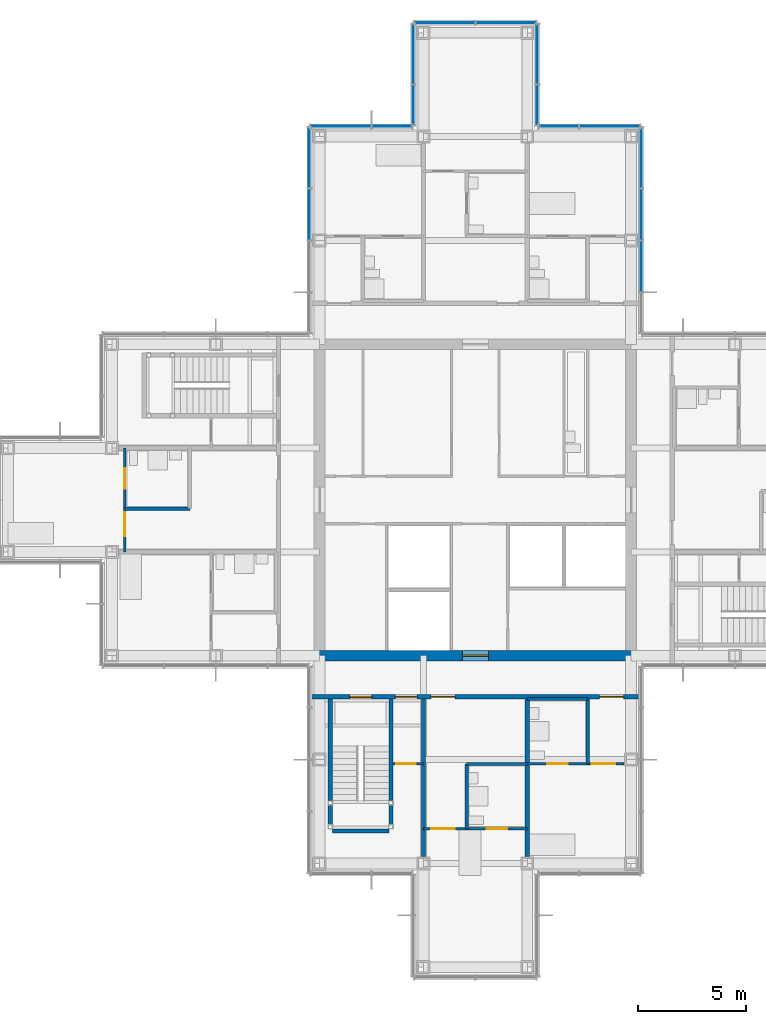
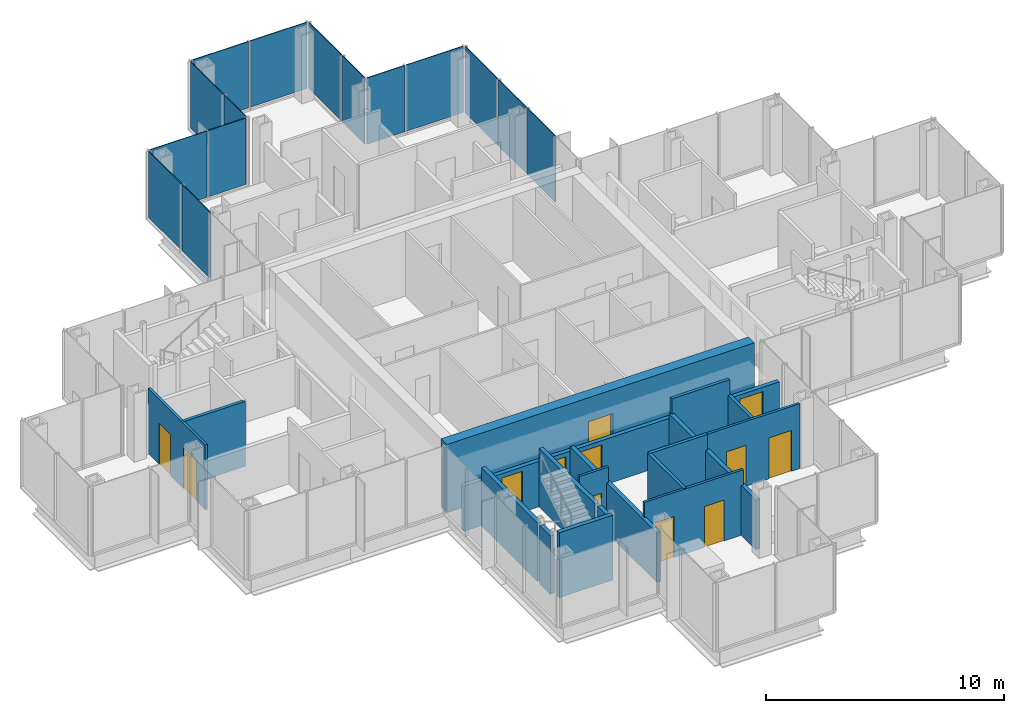
# One storey, part 11 of 17: 18 walls, 15 plates, 12 doors, 12 openings, 7 elements without a shape of their own.
"""IFC4 building model written with IfcOpenShell, lengths in metres."""

from ifc_helpers import new_model, si_unit, direction, frame, frame_2d, origin, origin_2d, place, context, subcontext, project, spatial, rectangle, extrude, material, layer, layer_set, type_object, element, fill, aggregate, save


model = new_model("IFC4")

# Units and contexts
model_context = context("Model", 3, precision=1e-05, world=origin(), true_north=direction((0.0, 1.0)))
body_context = subcontext(model_context, "Body", "Model", "MODEL_VIEW")
ifc_project = project(units=[si_unit("LENGTHUNIT", "METRE"), si_unit("AREAUNIT", "SQUARE_METRE"), si_unit("VOLUMEUNIT", "CUBIC_METRE"), si_unit("PLANEANGLEUNIT", "RADIAN"), si_unit("MASSUNIT", "GRAM", prefix="KILO")], contexts=[model_context])

# Site, building, storey
site_placement = place(None, origin())
site = spatial("IfcSite", under=ifc_project, at=site_placement, CompositionType="ELEMENT")
building_placement = place(site_placement, origin())
building = spatial("IfcBuilding", under=site, at=building_placement, Name="Kvirike Care Tower", CompositionType="ELEMENT")
storey_placement = place(building_placement, frame((0.0, 0.0, 183.0)))
storey = spatial("IfcBuildingStorey", under=building, at=storey_placement, Name="L50", CompositionType="ELEMENT", Elevation=183.0)

# Curtain wall, plates
ifc_material_1 = material(Name="Anodised aluminium stick system", Category="aluminium")
curtain_wall_type = type_object("IfcCurtainWallType", Name="CW-C STICK CURTAIN WALL", PredefinedType="NOTDEFINED", material=ifc_material_1)
curtain_wall_1_placement = place(storey_placement, origin())
curtain_wall_1 = element("IfcCurtainWall", 1, at=curtain_wall_1_placement, inside=storey, type_object=curtain_wall_type, Name="Curtain wall L50 face 8", PredefinedType="NOTDEFINED")
ifc_material_2 = material(Name="Tinted double glazed unit", Category="glass")
ifc_layer_1 = layer(ifc_material_2, 0.0400390625)
ifc_layer_set_1 = layer_set([ifc_layer_1], Name="TINTED VISION PANEL 40")
plate_type = type_object("IfcPlateType", Name="TINTED VISION PANEL 40", PredefinedType="CURTAIN_PANEL", material=ifc_layer_set_1)
plate_1_placement = place(storey_placement, frame((29.27001953125, 46.800048828125, 0.10009765625), z_axis=(0.0, 0.0, 1.0), x_axis=(0.0, 1.0, 0.0)))
plate_1 = element("IfcPlate", 2, at=plate_1_placement, type_object=plate_type, Name="CW-C panel L50 face 8.2", PredefinedType="CURTAIN_PANEL", context=body_context, shape_type="SweptSolid", body=[
    extrude(rectangle(XDim=2.3349609375, YDim=0.0400390625, at=origin_2d()), origin(), (0.0, 0.0, 1.0), 3.39990234375),
])
plate_2_placement = place(storey_placement, frame((29.27001953125, 49.199951171875, 0.10009765625), z_axis=(0.0, 0.0, 1.0), x_axis=(0.0, 1.0, 0.0)))
plate_2 = element("IfcPlate", 3, at=plate_2_placement, type_object=plate_type, Name="CW-C panel L50 face 8.3", PredefinedType="CURTAIN_PANEL", context=body_context, shape_type="SweptSolid", body=[
    extrude(rectangle(XDim=2.3349609375, YDim=0.0400390625, at=origin_2d()), origin(), (0.0, 0.0, 1.0), 3.39990234375),
])
plate_3_placement = place(storey_placement, frame((29.27001953125, 51.81884765625, 0.10009765625), z_axis=(0.0, 0.0, 1.0), x_axis=(0.0, 1.0, 0.0)))
plate_3 = element("IfcPlate", 4, at=plate_3_placement, type_object=plate_type, Name="CW-C panel L50 face 8.4", PredefinedType="CURTAIN_PANEL", context=body_context, shape_type="SweptSolid", body=[
    extrude(rectangle(XDim=2.7724609375, YDim=0.0400390625, at=origin_2d()), origin(), (0.0, 0.0, 1.0), 3.39990234375),
])
aggregate(curtain_wall_1, [plate_1, plate_2, plate_3])

curtain_wall_2_placement = place(storey_placement, origin())
curtain_wall_2 = element("IfcCurtainWall", 5, at=curtain_wall_2_placement, inside=storey, type_object=curtain_wall_type, Name="Curtain wall L50 face 9", PredefinedType="NOTDEFINED")
plate_4_placement = place(storey_placement, frame((27.81884765625, 53.27001953125, 0.10009765625), z_axis=(0.0, 0.0, 1.0), x_axis=(-1.0, 0.0, 0.0)))
plate_4 = element("IfcPlate", 6, at=plate_4_placement, type_object=plate_type, Name="CW-C panel L50 face 9.1", PredefinedType="CURTAIN_PANEL", context=body_context, shape_type="SweptSolid", body=[
    extrude(rectangle(XDim=2.7724609375, YDim=0.0400390625, at=origin_2d()), origin(), (0.0, 0.0, 1.0), 3.39990234375),
])
plate_5_placement = place(storey_placement, frame((25.451171875, 53.27001953125, 0.10009765625), z_axis=(0.0, 0.0, 1.0), x_axis=(-1.0, 0.0, 0.0)))
plate_5 = element("IfcPlate", 7, at=plate_5_placement, type_object=plate_type, Name="CW-C panel L50 face 9.2", PredefinedType="CURTAIN_PANEL", context=body_context, shape_type="SweptSolid", body=[
    extrude(rectangle(XDim=1.83251953125, YDim=0.0400390625, at=origin_2d()), origin(), (0.0, 0.0, 1.0), 3.39990234375),
])
aggregate(curtain_wall_2, [plate_4, plate_5])

curtain_wall_3_placement = place(storey_placement, origin())
curtain_wall_3 = element("IfcCurtainWall", 8, at=curtain_wall_3_placement, inside=storey, type_object=curtain_wall_type, Name="Curtain wall L50 face 10", PredefinedType="NOTDEFINED")
plate_6_placement = place(storey_placement, frame((24.469970703125, 54.251220703125, 0.10009765625), z_axis=(0.0, 0.0, 1.0), x_axis=(0.0, 1.0, 0.0)))
plate_6 = element("IfcPlate", 9, at=plate_6_placement, type_object=plate_type, Name="CW-C panel L50 face 10.1", PredefinedType="CURTAIN_PANEL", context=body_context, shape_type="SweptSolid", body=[
    extrude(rectangle(XDim=1.83251953125, YDim=0.0400390625, at=origin_2d()), origin(), (0.0, 0.0, 1.0), 3.39990234375),
])
plate_7_placement = place(storey_placement, frame((24.469970703125, 56.61865234375, 0.10009765625), z_axis=(0.0, 0.0, 1.0), x_axis=(0.0, 1.0, 0.0)))
plate_7 = element("IfcPlate", 10, at=plate_7_placement, type_object=plate_type, Name="CW-C panel L50 face 10.2", PredefinedType="CURTAIN_PANEL", context=body_context, shape_type="SweptSolid", body=[
    extrude(rectangle(XDim=2.7724609375, YDim=0.0400390625, at=origin_2d()), origin(), (0.0, 0.0, 1.0), 3.39990234375),
])
aggregate(curtain_wall_3, [plate_6, plate_7])

curtain_wall_4_placement = place(storey_placement, origin())
curtain_wall_4 = element("IfcCurtainWall", 11, at=curtain_wall_4_placement, inside=storey, type_object=curtain_wall_type, Name="Curtain wall L50 face 11", PredefinedType="NOTDEFINED")
plate_8_placement = place(storey_placement, frame((23.018798828125, 58.070068359375, 0.10009765625), z_axis=(0.0, 0.0, 1.0), x_axis=(-1.0, 0.0, 0.0)))
plate_8 = element("IfcPlate", 12, at=plate_8_placement, type_object=plate_type, Name="CW-C panel L50 face 11.1", PredefinedType="CURTAIN_PANEL", context=body_context, shape_type="SweptSolid", body=[
    extrude(rectangle(XDim=2.7724609375, YDim=0.0400390625, at=origin_2d()), origin(), (0.0, 0.0, 1.0), 3.39990234375),
])
plate_9_placement = place(storey_placement, frame((20.18115234375, 58.070068359375, 0.10009765625), z_axis=(0.0, 0.0, 1.0), x_axis=(-1.0, 0.0, 0.0)))
plate_9 = element("IfcPlate", 13, at=plate_9_placement, type_object=plate_type, Name="CW-C panel L50 face 11.2", PredefinedType="CURTAIN_PANEL", context=body_context, shape_type="SweptSolid", body=[
    extrude(rectangle(XDim=2.7724609375, YDim=0.0400390625, at=origin_2d()), origin(), (0.0, 0.0, 1.0), 3.39990234375),
])
aggregate(curtain_wall_4, [plate_8, plate_9])

curtain_wall_5_placement = place(storey_placement, origin())
curtain_wall_5 = element("IfcCurtainWall", 14, at=curtain_wall_5_placement, inside=storey, type_object=curtain_wall_type, Name="Curtain wall L50 face 12", PredefinedType="NOTDEFINED")
plate_10_placement = place(storey_placement, frame((18.72998046875, 56.61865234375, 0.10009765625), z_axis=(0.0, 0.0, 1.0), x_axis=(0.0, -1.0, 0.0)))
plate_10 = element("IfcPlate", 15, at=plate_10_placement, type_object=plate_type, Name="CW-C panel L50 face 12.1", PredefinedType="CURTAIN_PANEL", context=body_context, shape_type="SweptSolid", body=[
    extrude(rectangle(XDim=2.7724609375, YDim=0.0400390625, at=origin_2d()), origin(), (0.0, 0.0, 1.0), 3.39990234375),
])
plate_11_placement = place(storey_placement, frame((18.72998046875, 54.251220703125, 0.10009765625), z_axis=(0.0, 0.0, 1.0), x_axis=(0.0, -1.0, 0.0)))
plate_11 = element("IfcPlate", 16, at=plate_11_placement, type_object=plate_type, Name="CW-C panel L50 face 12.2", PredefinedType="CURTAIN_PANEL", context=body_context, shape_type="SweptSolid", body=[
    extrude(rectangle(XDim=1.83251953125, YDim=0.0400390625, at=origin_2d()), origin(), (0.0, 0.0, 1.0), 3.39990234375),
])
aggregate(curtain_wall_5, [plate_10, plate_11])

curtain_wall_6_placement = place(storey_placement, origin())
curtain_wall_6 = element("IfcCurtainWall", 17, at=curtain_wall_6_placement, inside=storey, type_object=curtain_wall_type, Name="Curtain wall L50 face 13", PredefinedType="NOTDEFINED")
plate_12_placement = place(storey_placement, frame((17.748779296875, 53.27001953125, 0.10009765625), z_axis=(0.0, 0.0, 1.0), x_axis=(-1.0, 0.0, 0.0)))
plate_12 = element("IfcPlate", 18, at=plate_12_placement, type_object=plate_type, Name="CW-C panel L50 face 13.1", PredefinedType="CURTAIN_PANEL", context=body_context, shape_type="SweptSolid", body=[
    extrude(rectangle(XDim=1.83251953125, YDim=0.0400390625, at=origin_2d()), origin(), (0.0, 0.0, 1.0), 3.39990234375),
])
plate_13_placement = place(storey_placement, frame((15.38134765625, 53.27001953125, 0.10009765625), z_axis=(0.0, 0.0, 1.0), x_axis=(-1.0, 0.0, 0.0)))
plate_13 = element("IfcPlate", 19, at=plate_13_placement, type_object=plate_type, Name="CW-C panel L50 face 13.2", PredefinedType="CURTAIN_PANEL", context=body_context, shape_type="SweptSolid", body=[
    extrude(rectangle(XDim=2.7724609375, YDim=0.0400390625, at=origin_2d()), origin(), (0.0, 0.0, 1.0), 3.39990234375),
])
aggregate(curtain_wall_6, [plate_12, plate_13])

curtain_wall_7_placement = place(storey_placement, origin())
curtain_wall_7 = element("IfcCurtainWall", 20, at=curtain_wall_7_placement, inside=storey, type_object=curtain_wall_type, Name="Curtain wall L50 face 14", PredefinedType="NOTDEFINED")
plate_14_placement = place(storey_placement, frame((13.929931640625, 51.81884765625, 0.10009765625), z_axis=(0.0, 0.0, 1.0), x_axis=(0.0, -1.0, 0.0)))
plate_14 = element("IfcPlate", 21, at=plate_14_placement, type_object=plate_type, Name="CW-C panel L50 face 14.1", PredefinedType="CURTAIN_PANEL", context=body_context, shape_type="SweptSolid", body=[
    extrude(rectangle(XDim=2.7724609375, YDim=0.0400390625, at=origin_2d()), origin(), (0.0, 0.0, 1.0), 3.39990234375),
])
plate_15_placement = place(storey_placement, frame((13.929931640625, 49.199951171875, 0.10009765625), z_axis=(0.0, 0.0, 1.0), x_axis=(0.0, -1.0, 0.0)))
plate_15 = element("IfcPlate", 22, at=plate_15_placement, type_object=plate_type, Name="CW-C panel L50 face 14.2", PredefinedType="CURTAIN_PANEL", context=body_context, shape_type="SweptSolid", body=[
    extrude(rectangle(XDim=2.3349609375, YDim=0.0400390625, at=origin_2d()), origin(), (0.0, 0.0, 1.0), 3.39990234375),
])
aggregate(curtain_wall_7, [plate_14, plate_15])

# Walls
ifc_material_3 = material(Name="Moisture-resistant board partition", Category="gypsum")
ifc_layer_2 = layer(ifc_material_3, 0.14990234375)
ifc_layer_set_2 = layer_set([ifc_layer_2], Name="BATHROOM WALL 150")
wall_type_1 = type_object("IfcWallType", Name="BATHROOM WALL 150", PredefinedType="PARTITIONING", material=ifc_layer_set_2)
for number, where, z_axis, x_axis, name in (
    (23, (5.39990234375, 35.60009765625, 0.0), (0.0, 0.0, 1.0), (1.0, 0.0, 0.0), "Bathroom Wall 150 L50"),
    (24, (21.199951171875, 20.800048828125, 0.0), (0.0, 0.0, 1.0), (0.0, 1.0, 0.0), "Bathroom Wall 150 L50"),
):
    element("IfcWall", number, at=place(storey_placement, frame(where, z_axis=z_axis, x_axis=x_axis)), inside=storey, type_object=wall_type_1, Name=name, PredefinedType="PARTITIONING", context=body_context, shape_type="SweptSolid", body=[
        extrude(rectangle(XDim=3.0, YDim=0.14990234375, at=frame_2d((1.5, 0.0))), origin(), (0.0, 0.0, 1.0), 3.330078125),
    ])
wall_1_placement = place(storey_placement, frame((21.199951171875, 23.800048828125, 0.0), z_axis=(0.0, 0.0, 1.0), x_axis=(1.0, 0.0, 0.0)))
element("IfcWall", 25, at=wall_1_placement, inside=storey, type_object=wall_type_1, Name="Bathroom Wall 150 L50", PredefinedType="PARTITIONING", context=body_context, shape_type="SweptSolid", body=[
    extrude(rectangle(XDim=2.800048828125, YDim=0.14990234375, at=frame_2d((1.39990234375, 0.0))), origin(), (0.0, 0.0, 1.0), 3.330078125),
])
wall_2_placement = place(storey_placement, frame((26.800048828125, 23.800048828125, 0.0), z_axis=(0.0, 0.0, 1.0), x_axis=(0.0, 1.0, 0.0)))
element("IfcWall", 26, at=wall_2_placement, inside=storey, type_object=wall_type_1, Name="Bathroom Wall 150 L50", PredefinedType="PARTITIONING", context=body_context, shape_type="SweptSolid", body=[
    extrude(rectangle(XDim=3.0, YDim=0.14990234375, at=frame_2d((1.5, 0.0))), origin(), (0.0, 0.0, 1.0), 2.550048828125),
])
wall_3_placement = place(storey_placement, frame((24.0, 26.800048828125, 0.0), z_axis=(0.0, 0.0, 1.0), x_axis=(1.0, 0.0, 0.0)))
element("IfcWall", 27, at=wall_3_placement, inside=storey, type_object=wall_type_1, Name="Bathroom Wall 150 L50", PredefinedType="PARTITIONING", context=body_context, shape_type="SweptSolid", body=[
    extrude(rectangle(XDim=2.800048828125, YDim=0.14990234375, at=frame_2d((1.39990234375, 0.0))), origin(), (0.0, 0.0, 1.0), 3.330078125),
])

# Wall, opening, door
ifc_material_4 = material(Name="Concrete C45/55", Category="concrete")
ifc_layer_3 = layer(ifc_material_4, 0.5)
ifc_layer_set_3 = layer_set([ifc_layer_3], Name="CORE WALL 500 C45-55")
wall_type_2 = type_object("IfcWallType", Name="CORE WALL 500 C45-55", PredefinedType="SHEAR", material=ifc_layer_set_3)
wall_4_placement = place(storey_placement, frame((14.14990234375, 28.800048828125, -0.169921875), z_axis=(0.0, 0.0, 1.0), x_axis=(1.0, 0.0, 0.0)))
wall_4 = element("IfcWall", 28, at=wall_4_placement, inside=storey, type_object=wall_type_2, Name="Core wall S L50", PredefinedType="SHEAR", context=body_context, shape_type="SweptSolid", body=[
    extrude(rectangle(XDim=14.900146484375, YDim=0.5, at=frame_2d((7.4501953125, 0.0))), origin(), (0.0, 0.0, 1.0), 3.5),
])
opening_1_placement = place(wall_4_placement, frame((6.85009765625, 0.0, 0.169921875)))
opening_1 = element("IfcOpeningElement", 29, at=opening_1_placement, cuts=wall_4, Name="Opening 50-050", PredefinedType="OPENING", context=body_context, shape_type="SweptSolid", body=[
    extrude(rectangle(XDim=1.199951171875, YDim=2.10009765625, at=frame_2d((0.60009765625, 1.050048828125))), frame((0.0, 0.260498046875, 0.0), z_axis=(0.0, -1.0, 0.0), x_axis=(1.0, 0.0, 0.0)), (0.0, 0.0, 1.0), 0.52099609375),
])
ifc_material_5 = material(Name="Timber door set", Category="wood")
door_type_1 = type_object("IfcDoorType", Name="CORE DOOR 1200", OperationType="SINGLE_SWING_LEFT", PredefinedType="DOOR", material=ifc_material_5)
door_1_placement = place(opening_1_placement, origin())
door_1 = element("IfcDoor", 30, at=door_1_placement, inside=storey, type_object=door_type_1, Name="Core door S L50", OperationType="SINGLE_SWING_LEFT", OverallHeight=2.10009765625, OverallWidth=1.199951171875, PredefinedType="DOOR", context=body_context, shape_type="SweptSolid", body=[
    extrude(rectangle(XDim=1.199951171875, YDim=2.10009765625, at=frame_2d((0.60009765625, 1.050048828125))), frame((0.0, 0.02685546875, 0.0), z_axis=(0.0, -1.0, 0.0), x_axis=(1.0, 0.0, 0.0)), (0.0, 0.0, 1.0), 0.053955078125),
])
fill(opening_1, door_1)

# Wall, openings, doors
ifc_material_6 = material(Name="Plasterboard corridor wall", Category="gypsum")
ifc_layer_4 = layer(ifc_material_6, 0.199951171875)
ifc_layer_set_4 = layer_set([ifc_layer_4], Name="CORRIDOR WALL 200")
wall_type_3 = type_object("IfcWallType", Name="CORRIDOR WALL 200", PredefinedType="PARTITIONING", material=ifc_layer_set_4)
wall_5_placement = place(storey_placement, frame((13.949951171875, 26.89990234375, 0.0), z_axis=(0.0, 0.0, 1.0), x_axis=(1.0, 0.0, 0.0)))
wall_5 = element("IfcWall", 31, at=wall_5_placement, inside=storey, type_object=wall_type_3, Name="Corridor Wall 200 L50", PredefinedType="PARTITIONING", context=body_context, shape_type="SweptSolid", body=[
    extrude(rectangle(XDim=15.300048828125, YDim=0.199951171875, at=frame_2d((7.64990234375, 0.0))), origin(), (0.0, 0.0, 1.0), 2.320068359375),
])
opening_2_placement = place(wall_5_placement, frame((1.85009765625, 0.0, 0.0)))
opening_2 = element("IfcOpeningElement", 32, at=opening_2_placement, cuts=wall_5, Name="Opening 50-015", PredefinedType="OPENING", context=body_context, shape_type="SweptSolid", body=[
    extrude(rectangle(XDim=1.0, YDim=2.10009765625, at=frame_2d((0.5, 1.050048828125))), frame((0.0, 0.110595703125, 0.0), z_axis=(0.0, -1.0, 0.0), x_axis=(1.0, 0.0, 0.0)), (0.0, 0.0, 1.0), 0.220947265625),
])
opening_3_placement = place(wall_5_placement, frame((3.949951171875, 0.0, 0.0)))
opening_3 = element("IfcOpeningElement", 33, at=opening_3_placement, cuts=wall_5, Name="Opening 50-016", PredefinedType="OPENING", context=body_context, shape_type="SweptSolid", body=[
    extrude(rectangle(XDim=1.0, YDim=2.10009765625, at=frame_2d((0.5, 1.050048828125))), frame((0.0, 0.110595703125, 0.0), z_axis=(0.0, -1.0, 0.0), x_axis=(1.0, 0.0, 0.0)), (0.0, 0.0, 1.0), 0.220947265625),
])
opening_4_placement = place(wall_5_placement, frame((5.60009765625, 0.0, 0.0)))
opening_4 = element("IfcOpeningElement", 34, at=opening_4_placement, cuts=wall_5, Name="Opening 50-017", PredefinedType="OPENING", context=body_context, shape_type="SweptSolid", body=[
    extrude(rectangle(XDim=1.10009765625, YDim=2.10009765625, at=frame_2d((0.550048828125, 1.050048828125))), frame((0.0, 0.110595703125, 0.0), z_axis=(0.0, -1.0, 0.0), x_axis=(1.0, 0.0, 0.0)), (0.0, 0.0, 1.0), 0.220947265625),
])
opening_5_placement = place(wall_5_placement, frame((13.39990234375, 0.0, 0.0)))
opening_5 = element("IfcOpeningElement", 35, at=opening_5_placement, cuts=wall_5, Name="Opening 50-018", PredefinedType="OPENING", context=body_context, shape_type="SweptSolid", body=[
    extrude(rectangle(XDim=1.10009765625, YDim=2.10009765625, at=frame_2d((0.550048828125, 1.050048828125))), frame((0.0, 0.110595703125, 0.0), z_axis=(0.0, -1.0, 0.0), x_axis=(1.0, 0.0, 0.0)), (0.0, 0.0, 1.0), 0.220947265625),
])
ifc_material_7 = material(Name="Timber door set", Category="wood")
door_type_2 = type_object("IfcDoorType", Name="BEDROOM ENTRANCE DOOR 1100", OperationType="SINGLE_SWING_LEFT", PredefinedType="DOOR", material=ifc_material_7)
door_2_placement = place(opening_4_placement, frame((1.10009765625, 0.0, 0.0), z_axis=(0.0, 0.0, 1.0), x_axis=(-1.0, 0.0, 0.0)))
door_2 = element("IfcDoor", 36, at=door_2_placement, inside=storey, type_object=door_type_2, Name="Memory care bedroom entrance", OperationType="SINGLE_SWING_LEFT", OverallHeight=2.10009765625, OverallWidth=1.10009765625, PredefinedType="DOOR", context=body_context, shape_type="SweptSolid", body=[
    extrude(rectangle(XDim=1.10009765625, YDim=2.10009765625, at=frame_2d((0.550048828125, 1.050048828125))), frame((0.0, 0.02685546875, 0.0), z_axis=(0.0, -1.0, 0.0), x_axis=(1.0, 0.0, 0.0)), (0.0, 0.0, 1.0), 0.053955078125),
])
fill(opening_4, door_2)
door_3_placement = place(opening_5_placement, frame((1.10009765625, 0.0, 0.0), z_axis=(0.0, 0.0, 1.0), x_axis=(-1.0, 0.0, 0.0)))
door_3 = element("IfcDoor", 37, at=door_3_placement, inside=storey, type_object=door_type_2, Name="Memory care bedroom entrance", OperationType="SINGLE_SWING_RIGHT", OverallHeight=2.10009765625, OverallWidth=1.10009765625, PredefinedType="DOOR", context=body_context, shape_type="SweptSolid", body=[
    extrude(rectangle(XDim=1.10009765625, YDim=2.10009765625, at=frame_2d((0.550048828125, 1.050048828125))), frame((0.0, 0.02685546875, 0.0), z_axis=(0.0, -1.0, 0.0), x_axis=(1.0, 0.0, 0.0)), (0.0, 0.0, 1.0), 0.053955078125),
])
fill(opening_5, door_3)
ifc_material_8 = material(Name="Timber door set", Category="wood")
door_type_3 = type_object("IfcDoorType", Name="FLAT ENTRANCE DOOR 1000", OperationType="SINGLE_SWING_LEFT", PredefinedType="DOOR", material=ifc_material_8)
door_4_placement = place(opening_3_placement, frame((1.0, 0.0, 0.0), z_axis=(0.0, 0.0, 1.0), x_axis=(-1.0, 0.0, 0.0)))
door_4 = element("IfcDoor", 38, at=door_4_placement, inside=storey, type_object=door_type_3, Name="Care base entrance", OperationType="SINGLE_SWING_LEFT", OverallHeight=2.10009765625, OverallWidth=1.0, PredefinedType="DOOR", context=body_context, shape_type="SweptSolid", body=[
    extrude(rectangle(XDim=1.0, YDim=2.10009765625, at=frame_2d((0.5, 1.050048828125))), frame((0.0, 0.02685546875, 0.0), z_axis=(0.0, -1.0, 0.0), x_axis=(1.0, 0.0, 0.0)), (0.0, 0.0, 1.0), 0.053955078125),
])
fill(opening_3, door_4)
ifc_material_9 = material(Name="Timber door set", Category="wood")
door_type_4 = type_object("IfcDoorType", Name="STAIR DOOR 1000", OperationType="SINGLE_SWING_LEFT", PredefinedType="DOOR", material=ifc_material_9)
door_5_placement = place(opening_2_placement, frame((1.0, 0.0, 0.0), z_axis=(0.0, 0.0, 1.0), x_axis=(-1.0, 0.0, 0.0)))
door_5 = element("IfcDoor", 39, at=door_5_placement, inside=storey, type_object=door_type_4, Name="Stair 5 door", OperationType="SINGLE_SWING_LEFT", OverallHeight=2.10009765625, OverallWidth=1.0, PredefinedType="DOOR", context=body_context, shape_type="SweptSolid", body=[
    extrude(rectangle(XDim=1.0, YDim=2.10009765625, at=frame_2d((0.5, 1.050048828125))), frame((0.0, 0.031982421875, 0.0), z_axis=(0.0, -1.0, 0.0), x_axis=(1.0, 0.0, 0.0)), (0.0, 0.0, 1.0), 0.06396484375),
])
fill(opening_2, door_5)

ifc_material_10 = material(Name="Plasterboard partition", Category="gypsum")
ifc_layer_5 = layer(ifc_material_10, 0.1201171875)
ifc_layer_set_5 = layer_set([ifc_layer_5], Name="PARTITION 120")
wall_type_4 = type_object("IfcWallType", Name="PARTITION 120", PredefinedType="PARTITIONING", material=ifc_layer_set_5)
wall_6_placement = place(storey_placement, frame((5.39990234375, 38.39990234375, 0.0), z_axis=(0.0, 0.0, 1.0), x_axis=(0.0, -1.0, 0.0)))
wall_6 = element("IfcWall", 40, at=wall_6_placement, inside=storey, type_object=wall_type_4, Name="Partition 120 L50", PredefinedType="PARTITIONING", context=body_context, shape_type="SweptSolid", body=[
    extrude(rectangle(XDim=4.7998046875, YDim=0.1201171875, at=frame_2d((2.39990234375, 0.0))), origin(), (0.0, 0.0, 1.0), 3.330078125),
])
opening_6_placement = place(wall_6_placement, frame((2.97509765625, 0.0, 0.0)))
opening_6 = element("IfcOpeningElement", 41, at=opening_6_placement, cuts=wall_6, Name="Opening 50-002", PredefinedType="OPENING", context=body_context, shape_type="SweptSolid", body=[
    extrude(rectangle(XDim=1.10009765625, YDim=2.10009765625, at=frame_2d((0.550048828125, 1.050048828125))), frame((0.0, 0.070556640625, 0.0), z_axis=(0.0, -1.0, 0.0), x_axis=(1.0, 0.0, 0.0)), (0.0, 0.0, 1.0), 0.14111328125),
])
opening_7_placement = place(wall_6_placement, frame((0.925048828125, 0.0, 0.0)))
opening_7 = element("IfcOpeningElement", 42, at=opening_7_placement, cuts=wall_6, Name="Opening 50-003", PredefinedType="OPENING", context=body_context, shape_type="SweptSolid", body=[
    extrude(rectangle(XDim=0.949951171875, YDim=2.10009765625, at=frame_2d((0.47509765625, 1.050048828125))), frame((0.0, 0.070556640625, 0.0), z_axis=(0.0, -1.0, 0.0), x_axis=(1.0, 0.0, 0.0)), (0.0, 0.0, 1.0), 0.14111328125),
])
ifc_material_11 = material(Name="Timber door set", Category="wood")
door_type_5 = type_object("IfcDoorType", Name="BEDROOM DOOR 1100", OperationType="SINGLE_SWING_LEFT", PredefinedType="DOOR", material=ifc_material_11)
door_6_placement = place(opening_6_placement, origin())
door_6 = element("IfcDoor", 43, at=door_6_placement, inside=storey, type_object=door_type_5, Name="Memory care bedroom door", OperationType="SINGLE_SWING_RIGHT", OverallHeight=2.10009765625, OverallWidth=1.10009765625, PredefinedType="DOOR", context=body_context, shape_type="SweptSolid", body=[
    extrude(rectangle(XDim=1.10009765625, YDim=2.10009765625, at=frame_2d((0.550048828125, 1.050048828125))), frame((0.0, 0.02197265625, 0.0), z_axis=(0.0, -1.0, 0.0), x_axis=(1.0, 0.0, 0.0)), (0.0, 0.0, 1.0), 0.0439453125),
])
fill(opening_6, door_6)
ifc_material_12 = material(Name="Timber door set", Category="wood")
door_type_6 = type_object("IfcDoorType", Name="EN-SUITE SLIDING DOOR 950", OperationType="SLIDING_TO_LEFT", PredefinedType="DOOR", material=ifc_material_12)
door_7_placement = place(opening_7_placement, origin())
door_7 = element("IfcDoor", 44, at=door_7_placement, inside=storey, type_object=door_type_6, Name="En-suite door", OperationType="SLIDING_TO_LEFT", OverallHeight=2.10009765625, OverallWidth=0.949951171875, PredefinedType="DOOR", context=body_context, shape_type="SweptSolid", body=[
    extrude(rectangle(XDim=0.949951171875, YDim=2.10009765625, at=frame_2d((0.47509765625, 1.050048828125))), frame((0.0, 0.02197265625, 0.0), z_axis=(0.0, -1.0, 0.0), x_axis=(1.0, 0.0, 0.0)), (0.0, 0.0, 1.0), 0.0439453125),
])
fill(opening_7, door_7)

# Wall, opening, door
wall_7_placement = place(storey_placement, frame((17.800048828125, 23.800048828125, 0.0), z_axis=(0.0, 0.0, 1.0), x_axis=(1.0, 0.0, 0.0)))
wall_7 = element("IfcWall", 45, at=wall_7_placement, inside=storey, type_object=wall_type_4, Name="Partition 120 L50", PredefinedType="PARTITIONING", context=body_context, shape_type="SweptSolid", body=[
    extrude(rectangle(XDim=1.39990234375, YDim=0.1201171875, at=frame_2d((0.699951171875, 0.0))), origin(), (0.0, 0.0, 1.0), 3.330078125),
])
opening_8_placement = place(wall_7_placement, frame((0.14990234375, 0.0, 0.0)))
opening_8 = element("IfcOpeningElement", 46, at=opening_8_placement, cuts=wall_7, Name="Opening 50-010", PredefinedType="OPENING", context=body_context, shape_type="SweptSolid", body=[
    extrude(rectangle(XDim=0.89990234375, YDim=2.10009765625, at=frame_2d((0.449951171875, 1.050048828125))), frame((0.0, 0.070556640625, 0.0), z_axis=(0.0, -1.0, 0.0), x_axis=(1.0, 0.0, 0.0)), (0.0, 0.0, 1.0), 0.14111328125),
])
ifc_material_13 = material(Name="Timber door set", Category="wood")
door_type_7 = type_object("IfcDoorType", Name="INTERNAL DOOR 900", OperationType="SINGLE_SWING_LEFT", PredefinedType="DOOR", material=ifc_material_13)
door_8_placement = place(opening_8_placement, origin())
door_8 = element("IfcDoor", 47, at=door_8_placement, inside=storey, type_object=door_type_7, Name="Quiet room door", OperationType="SINGLE_SWING_RIGHT", OverallHeight=2.10009765625, OverallWidth=0.89990234375, PredefinedType="DOOR", context=body_context, shape_type="SweptSolid", body=[
    extrude(rectangle(XDim=0.89990234375, YDim=2.10009765625, at=frame_2d((0.449951171875, 1.050048828125))), frame((0.0, 0.02197265625, 0.0), z_axis=(0.0, -1.0, 0.0), x_axis=(1.0, 0.0, 0.0)), (0.0, 0.0, 1.0), 0.0439453125),
])
fill(opening_8, door_8)

# Wall, openings, doors
wall_8_placement = place(storey_placement, frame((19.199951171875, 20.800048828125, 0.0), z_axis=(0.0, 0.0, 1.0), x_axis=(1.0, 0.0, 0.0)))
wall_8 = element("IfcWall", 48, at=wall_8_placement, inside=storey, type_object=wall_type_4, Name="Partition 120 L50", PredefinedType="PARTITIONING", context=body_context, shape_type="SweptSolid", body=[
    extrude(rectangle(XDim=4.800048828125, YDim=0.1201171875, at=frame_2d((2.39990234375, 0.0))), origin(), (0.0, 0.0, 1.0), 3.330078125),
])
opening_9_placement = place(wall_8_placement, frame((0.35009765625, 0.0, 0.0)))
opening_9 = element("IfcOpeningElement", 49, at=opening_9_placement, cuts=wall_8, Name="Opening 50-011", PredefinedType="OPENING", context=body_context, shape_type="SweptSolid", body=[
    extrude(rectangle(XDim=1.10009765625, YDim=2.10009765625, at=frame_2d((0.550048828125, 1.050048828125))), frame((0.0, 0.070556640625, 0.0), z_axis=(0.0, -1.0, 0.0), x_axis=(1.0, 0.0, 0.0)), (0.0, 0.0, 1.0), 0.14111328125),
])
opening_10_placement = place(wall_8_placement, frame((2.925048828125, 0.0, 0.0)))
opening_10 = element("IfcOpeningElement", 50, at=opening_10_placement, cuts=wall_8, Name="Opening 50-012", PredefinedType="OPENING", context=body_context, shape_type="SweptSolid", body=[
    extrude(rectangle(XDim=0.949951171875, YDim=2.10009765625, at=frame_2d((0.47509765625, 1.050048828125))), frame((0.0, 0.070556640625, 0.0), z_axis=(0.0, -1.0, 0.0), x_axis=(1.0, 0.0, 0.0)), (0.0, 0.0, 1.0), 0.14111328125),
])
door_9_placement = place(opening_9_placement, origin())
door_9 = element("IfcDoor", 51, at=door_9_placement, inside=storey, type_object=door_type_5, Name="Memory care bedroom door", OperationType="SINGLE_SWING_RIGHT", OverallHeight=2.10009765625, OverallWidth=1.10009765625, PredefinedType="DOOR", context=body_context, shape_type="SweptSolid", body=[
    extrude(rectangle(XDim=1.10009765625, YDim=2.10009765625, at=frame_2d((0.550048828125, 1.050048828125))), frame((0.0, 0.02197265625, 0.0), z_axis=(0.0, -1.0, 0.0), x_axis=(1.0, 0.0, 0.0)), (0.0, 0.0, 1.0), 0.0439453125),
])
fill(opening_9, door_9)
door_10_placement = place(opening_10_placement, origin())
door_10 = element("IfcDoor", 52, at=door_10_placement, inside=storey, type_object=door_type_6, Name="En-suite door", OperationType="SLIDING_TO_LEFT", OverallHeight=2.10009765625, OverallWidth=0.949951171875, PredefinedType="DOOR", context=body_context, shape_type="SweptSolid", body=[
    extrude(rectangle(XDim=0.949951171875, YDim=2.10009765625, at=frame_2d((0.47509765625, 1.050048828125))), frame((0.0, 0.02197265625, 0.0), z_axis=(0.0, -1.0, 0.0), x_axis=(1.0, 0.0, 0.0)), (0.0, 0.0, 1.0), 0.0439453125),
])
fill(opening_10, door_10)

wall_9_placement = place(storey_placement, frame((24.0, 23.800048828125, 0.0), z_axis=(0.0, 0.0, 1.0), x_axis=(1.0, 0.0, 0.0)))
wall_9 = element("IfcWall", 53, at=wall_9_placement, inside=storey, type_object=wall_type_4, Name="Partition 120 L50", PredefinedType="PARTITIONING", context=body_context, shape_type="SweptSolid", body=[
    extrude(rectangle(XDim=4.47998046875, YDim=0.1201171875, at=frame_2d((2.239990234375, 0.0))), origin(), (0.0, 0.0, 1.0), 3.330078125),
])
opening_11_placement = place(wall_9_placement, frame((2.97509765625, 0.0, 0.0)))
opening_11 = element("IfcOpeningElement", 54, at=opening_11_placement, cuts=wall_9, Name="Opening 50-013", PredefinedType="OPENING", context=body_context, shape_type="SweptSolid", body=[
    extrude(rectangle(XDim=1.10009765625, YDim=2.10009765625, at=frame_2d((0.550048828125, 1.050048828125))), frame((0.0, 0.070556640625, 0.0), z_axis=(0.0, -1.0, 0.0), x_axis=(1.0, 0.0, 0.0)), (0.0, 0.0, 1.0), 0.14111328125),
])
opening_12_placement = place(wall_9_placement, frame((0.925048828125, 0.0, 0.0)))
opening_12 = element("IfcOpeningElement", 55, at=opening_12_placement, cuts=wall_9, Name="Opening 50-014", PredefinedType="OPENING", context=body_context, shape_type="SweptSolid", body=[
    extrude(rectangle(XDim=0.949951171875, YDim=2.10009765625, at=frame_2d((0.47509765625, 1.050048828125))), frame((0.0, 0.070556640625, 0.0), z_axis=(0.0, -1.0, 0.0), x_axis=(1.0, 0.0, 0.0)), (0.0, 0.0, 1.0), 0.14111328125),
])
door_11_placement = place(opening_11_placement, origin())
door_11 = element("IfcDoor", 56, at=door_11_placement, inside=storey, type_object=door_type_5, Name="Memory care bedroom door", OperationType="SINGLE_SWING_RIGHT", OverallHeight=2.10009765625, OverallWidth=1.10009765625, PredefinedType="DOOR", context=body_context, shape_type="SweptSolid", body=[
    extrude(rectangle(XDim=1.10009765625, YDim=2.10009765625, at=frame_2d((0.550048828125, 1.050048828125))), frame((0.0, 0.02197265625, 0.0), z_axis=(0.0, -1.0, 0.0), x_axis=(1.0, 0.0, 0.0)), (0.0, 0.0, 1.0), 0.0439453125),
])
fill(opening_11, door_11)
door_12_placement = place(opening_12_placement, origin())
door_12 = element("IfcDoor", 57, at=door_12_placement, inside=storey, type_object=door_type_6, Name="En-suite door", OperationType="SLIDING_TO_LEFT", OverallHeight=2.10009765625, OverallWidth=0.949951171875, PredefinedType="DOOR", context=body_context, shape_type="SweptSolid", body=[
    extrude(rectangle(XDim=0.949951171875, YDim=2.10009765625, at=frame_2d((0.47509765625, 1.050048828125))), frame((0.0, 0.02197265625, 0.0), z_axis=(0.0, -1.0, 0.0), x_axis=(1.0, 0.0, 0.0)), (0.0, 0.0, 1.0), 0.0439453125),
])
fill(opening_12, door_12)

# Walls
ifc_material_14 = material(Name="Plasterboard party wall", Category="gypsum")
ifc_layer_6 = layer(ifc_material_14, 0.199951171875)
ifc_layer_set_6 = layer_set([ifc_layer_6], Name="PARTY WALL 200")
wall_type_5 = type_object("IfcWallType", Name="PARTY WALL 200", PredefinedType="PARTITIONING", material=ifc_layer_set_6)
for number, where, z_axis, x_axis, name in (
    (58, (19.199951171875, 19.52001953125, 0.0), (0.0, 0.0, 1.0), (0.0, 1.0, 0.0), "Party Wall 200 L50"),
    (59, (24.0, 19.52001953125, 0.0), (0.0, 0.0, 1.0), (0.0, 1.0, 0.0), "Party Wall 200 L50"),
):
    element("IfcWall", number, at=place(storey_placement, frame(where, z_axis=z_axis, x_axis=x_axis)), inside=storey, type_object=wall_type_5, Name=name, PredefinedType="PARTITIONING", context=body_context, shape_type="SweptSolid", body=[
        extrude(rectangle(XDim=7.280029296875, YDim=0.199951171875, at=frame_2d((3.64013671875, 0.0))), origin(), (0.0, 0.0, 1.0), 2.550048828125),
    ])
ifc_material_15 = material(Name="Concrete C40/50", Category="concrete")
ifc_layer_7 = layer(ifc_material_15, 0.199951171875)
ifc_layer_set_7 = layer_set([ifc_layer_7], Name="STAIR WALL 200")
wall_type_6 = type_object("IfcWallType", Name="STAIR WALL 200", PredefinedType="SOLIDWALL", material=ifc_layer_set_7)
wall_10_placement = place(storey_placement, frame((14.89990234375, 21.0, 0.0), z_axis=(0.0, 0.0, 1.0), x_axis=(0.0, 1.0, 0.0)))
element("IfcWall", 60, at=wall_10_placement, inside=storey, type_object=wall_type_6, Name="Stair Wall 200 L50", PredefinedType="SOLIDWALL", context=body_context, shape_type="SweptSolid", body=[
    extrude(rectangle(XDim=0.89990234375, YDim=0.199951171875, at=frame_2d((0.449951171875, 0.0))), origin(), (0.0, 0.0, 1.0), 2.989990234375),
])
wall_11_placement = place(storey_placement, frame((14.89990234375, 22.10009765625, 0.0), z_axis=(0.0, 0.0, 1.0), x_axis=(0.0, 1.0, 0.0)))
element("IfcWall", 61, at=wall_11_placement, inside=storey, type_object=wall_type_6, Name="Stair Wall 200 L50", PredefinedType="SOLIDWALL", context=body_context, shape_type="SweptSolid", body=[
    extrude(rectangle(XDim=4.699951171875, YDim=0.199951171875, at=frame_2d((2.35009765625, 0.0))), origin(), (0.0, 0.0, 1.0), 2.989990234375),
])
wall_12_placement = place(storey_placement, frame((17.699951171875, 21.0, 0.0), z_axis=(0.0, 0.0, 1.0), x_axis=(0.0, 1.0, 0.0)))
element("IfcWall", 62, at=wall_12_placement, inside=storey, type_object=wall_type_6, Name="Stair Wall 200 L50", PredefinedType="SOLIDWALL", context=body_context, shape_type="SweptSolid", body=[
    extrude(rectangle(XDim=0.89990234375, YDim=0.199951171875, at=frame_2d((0.449951171875, 0.0))), origin(), (0.0, 0.0, 1.0), 2.989990234375),
])
wall_13_placement = place(storey_placement, frame((17.699951171875, 22.10009765625, 0.0), z_axis=(0.0, 0.0, 1.0), x_axis=(0.0, 1.0, 0.0)))
element("IfcWall", 63, at=wall_13_placement, inside=storey, type_object=wall_type_6, Name="Stair Wall 200 L50", PredefinedType="SOLIDWALL", context=body_context, shape_type="SweptSolid", body=[
    extrude(rectangle(XDim=4.699951171875, YDim=0.199951171875, at=frame_2d((2.35009765625, 0.0))), origin(), (0.0, 0.0, 1.0), 2.989990234375),
])
wall_14_placement = place(storey_placement, frame((15.0, 20.699951171875, 0.0), z_axis=(0.0, 0.0, 1.0), x_axis=(1.0, 0.0, 0.0)))
element("IfcWall", 64, at=wall_14_placement, inside=storey, type_object=wall_type_6, Name="Stair Wall 200 L50", PredefinedType="SOLIDWALL", context=body_context, shape_type="SweptSolid", body=[
    extrude(rectangle(XDim=2.60009765625, YDim=0.199951171875, at=frame_2d((1.300048828125, 0.0))), origin(), (0.0, 0.0, 1.0), 3.330078125),
])

save(model, "model.ifc")
